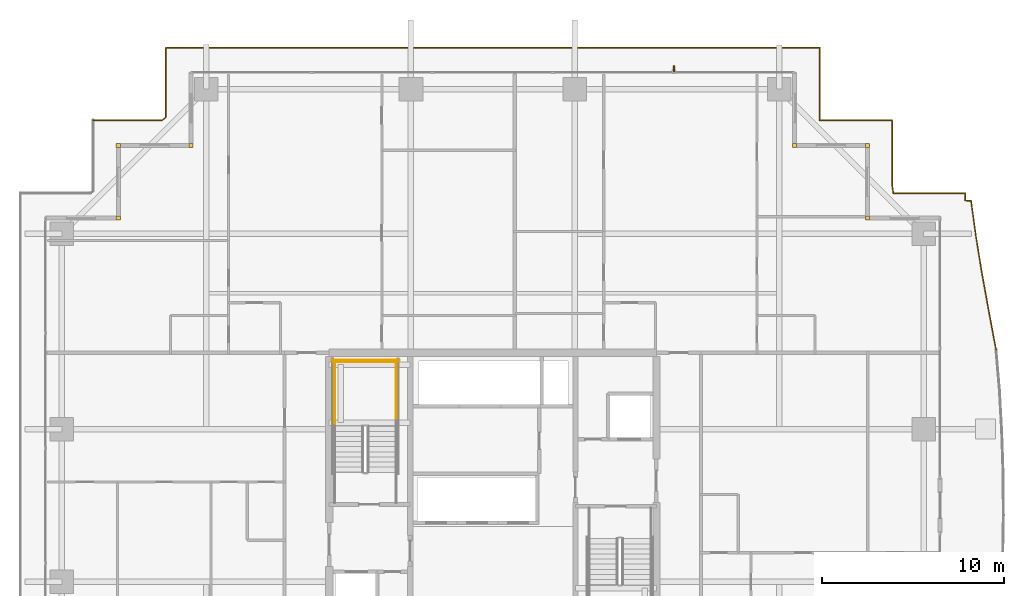
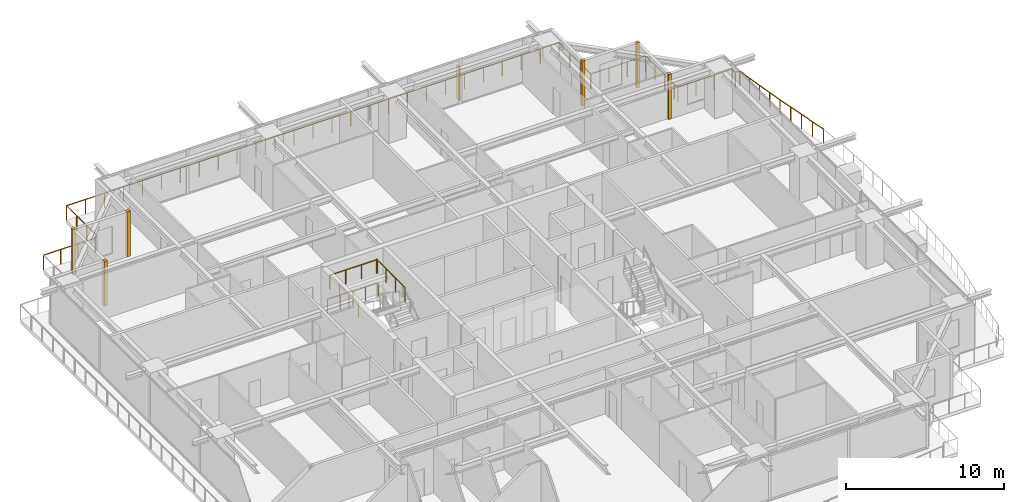
# One storey, part 36 of 36: 6 coverings, 6 railings, 1 shading device.
"""IFC4 building model written with IfcOpenShell, lengths in metres."""

from ifc_helpers import new_model, si_unit, direction, frame, origin, origin_2d, place, context, subcontext, project, spatial, rectangle, circle, extrude, source, transform, mapped, material, layer, layer_set, type_object, element, save


model = new_model("IFC4")

# Units and contexts
model_context = context("Model", 3, precision=1e-05, world=origin(), true_north=direction((0.0, 1.0)))
body_context = subcontext(model_context, "Body", "Model", "MODEL_VIEW")
ifc_project = project(units=[si_unit("LENGTHUNIT", "METRE"), si_unit("AREAUNIT", "SQUARE_METRE"), si_unit("VOLUMEUNIT", "CUBIC_METRE"), si_unit("PLANEANGLEUNIT", "RADIAN"), si_unit("MASSUNIT", "GRAM", prefix="KILO")], contexts=[model_context])

# Site, building, storey
site_placement = place(None, origin())
site = spatial("IfcSite", under=ifc_project, at=site_placement, CompositionType="ELEMENT")
building_placement = place(site_placement, origin())
building = spatial("IfcBuilding", under=site, at=building_placement, Name="Serunith Strait Residences", CompositionType="ELEMENT")
storey_placement = place(building_placement, frame((0.0, 0.0, 146.39990234375)))
storey = spatial("IfcBuildingStorey", under=building, at=storey_placement, Name="L36", CompositionType="ELEMENT", Elevation=146.39990234375)

# Railings
ifc_material_1 = material(Name="Stainless Steel & Laminated Glass Balustrade", Category="steel")
railing_type_1 = type_object("IfcRailingType", Name="RLG-BALC-1150", PredefinedType="BALUSTRADE", material=ifc_material_1)
railing_1_placement = place(storey_placement, frame((10.419921875, 46.3798828125, -0.0498046875)))
element("IfcRailing", 1, at=railing_1_placement, inside=storey, type_object=railing_type_1, Name="L36 Swirling Balcony Perimeter Balustrade 2", PredefinedType="BALUSTRADE", context=body_context, shape_type="SweptSolid", body=[
    extrude(circle(Radius=0.02392578125, at=origin_2d()), frame((0.001953125, 0.0, 1.1259765625), z_axis=(1.0, 0.0, 0.0), x_axis=(0.0, 1.0, 0.0)), (0.0, 0.0, 1.0), 3.7744140625),
    extrude(circle(Radius=0.02392578125, at=origin_2d()), frame((3.77978515625, 0.001220703125, 1.1259765625), z_axis=(0.777683480837, 0.628656029664, 0.0), x_axis=(-0.628656029664, 0.777683480837, 0.0)), (0.0, 0.0, 1.0), 0.281005859375),
    extrude(circle(Radius=0.02392578125, at=origin_2d()), frame((4.0, 0.18115234375, 1.1259765625), z_axis=(0.0, 1.0, 0.0), x_axis=(-1.0, 0.0, 0.0)), (0.0, 0.0, 1.0), 3.81689453125),
    extrude(circle(Radius=0.02392578125, at=origin_2d()), frame((4.001953125, 4.0, 1.1259765625), z_axis=(1.0, 0.0, 0.0), x_axis=(0.0, 1.0, 0.0)), (0.0, 0.0, 1.0), 35.9560546875),
    extrude(circle(Radius=0.02392578125, at=origin_2d()), frame((39.9599609375, 3.998046875, 1.1259765625), z_axis=(0.0, -1.0, 0.0), x_axis=(1.0, 0.0, 0.0)), (0.0, 0.0, 1.0), 3.99609375),
    extrude(circle(Radius=0.02392578125, at=origin_2d()), frame((39.9619140625, 0.0, 1.1259765625), z_axis=(1.0, 0.0, 0.0), x_axis=(0.0, 1.0, 0.0)), (0.0, 0.0, 1.0), 3.99609375),
    extrude(circle(Radius=0.02392578125, at=origin_2d()), frame((43.9599609375, -0.001953125, 1.1259765625), z_axis=(0.0, -1.0, 0.0), x_axis=(1.0, 0.0, 0.0)), (0.0, 0.0, 1.0), 3.62255859375),
    extrude(circle(Radius=0.02392578125, at=origin_2d()), frame((43.960205078125, -3.62841796875, 1.1259765625), z_axis=(0.145493990495, -0.989359135365, 0.0), x_axis=(0.989359135365, 0.145493990495, 0.0)), (0.0, 0.0, 1.0), 0.37353515625),
    extrude(circle(Radius=0.02099609375, at=origin_2d()), origin(), (0.0, 0.0, 1.0), 1.099853515625),
    extrude(circle(Radius=0.02099609375, at=origin_2d()), frame((1.259521484375, 0.0, 0.0)), (0.0, 0.0, 1.0), 1.099853515625),
    extrude(circle(Radius=0.02099609375, at=origin_2d()), frame((2.518798828125, 0.0, 0.0)), (0.0, 0.0, 1.0), 1.099853515625),
    extrude(circle(Radius=0.02099609375, at=origin_2d()), frame((3.7783203125, 0.0, 0.0)), (0.0, 0.0, 1.0), 1.099853515625),
    extrude(circle(Radius=0.02099609375, at=origin_2d()), frame((4.0, 0.17919921875, 0.0)), (0.0, 0.0, 1.0), 1.099853515625),
    extrude(circle(Radius=0.02099609375, at=origin_2d()), frame((4.0, 1.452880859375, 0.0)), (0.0, 0.0, 1.0), 1.099853515625),
    extrude(circle(Radius=0.02099609375, at=origin_2d()), frame((4.0, 2.726318359375, 0.0)), (0.0, 0.0, 1.0), 1.099853515625),
    extrude(circle(Radius=0.02099609375, at=origin_2d()), frame((4.0, 4.0, 0.0)), (0.0, 0.0, 1.0), 1.099853515625),
    extrude(circle(Radius=0.02099609375, at=origin_2d()), frame((5.383056640625, 4.0, 0.0)), (0.0, 0.0, 1.0), 1.099853515625),
    extrude(circle(Radius=0.02099609375, at=origin_2d()), frame((6.76611328125, 4.0, 0.0)), (0.0, 0.0, 1.0), 1.099853515625),
    extrude(circle(Radius=0.02099609375, at=origin_2d()), frame((8.149169921875, 4.0, 0.0)), (0.0, 0.0, 1.0), 1.099853515625),
    extrude(circle(Radius=0.02099609375, at=origin_2d()), frame((9.5322265625, 4.0, 0.0)), (0.0, 0.0, 1.0), 1.099853515625),
    extrude(circle(Radius=0.02099609375, at=origin_2d()), frame((10.915283203125, 4.0, 0.0)), (0.0, 0.0, 1.0), 1.099853515625),
    extrude(circle(Radius=0.02099609375, at=origin_2d()), frame((12.29833984375, 4.0, 0.0)), (0.0, 0.0, 1.0), 1.099853515625),
    extrude(circle(Radius=0.02099609375, at=origin_2d()), frame((13.681640625, 4.0, 0.0)), (0.0, 0.0, 1.0), 1.099853515625),
    extrude(circle(Radius=0.02099609375, at=origin_2d()), frame((15.064697265625, 4.0, 0.0)), (0.0, 0.0, 1.0), 1.099853515625),
    extrude(circle(Radius=0.02099609375, at=origin_2d()), frame((16.44775390625, 4.0, 0.0)), (0.0, 0.0, 1.0), 1.099853515625),
    extrude(circle(Radius=0.02099609375, at=origin_2d()), frame((17.830810546875, 4.0, 0.0)), (0.0, 0.0, 1.0), 1.099853515625),
    extrude(circle(Radius=0.02099609375, at=origin_2d()), frame((19.2138671875, 4.0, 0.0)), (0.0, 0.0, 1.0), 1.099853515625),
    extrude(circle(Radius=0.02099609375, at=origin_2d()), frame((20.596923828125, 4.0, 0.0)), (0.0, 0.0, 1.0), 1.099853515625),
    extrude(circle(Radius=0.02099609375, at=origin_2d()), frame((21.97998046875, 4.0, 0.0)), (0.0, 0.0, 1.0), 1.099853515625),
    extrude(circle(Radius=0.02099609375, at=origin_2d()), frame((23.363037109375, 4.0, 0.0)), (0.0, 0.0, 1.0), 1.099853515625),
    extrude(circle(Radius=0.02099609375, at=origin_2d()), frame((24.74609375, 4.0, 0.0)), (0.0, 0.0, 1.0), 1.099853515625),
    extrude(circle(Radius=0.02099609375, at=origin_2d()), frame((26.129150390625, 4.0, 0.0)), (0.0, 0.0, 1.0), 1.099853515625),
    extrude(circle(Radius=0.02099609375, at=origin_2d()), frame((27.51220703125, 4.0, 0.0)), (0.0, 0.0, 1.0), 1.099853515625),
    extrude(circle(Radius=0.02099609375, at=origin_2d()), frame((28.895263671875, 4.0, 0.0)), (0.0, 0.0, 1.0), 1.099853515625),
    extrude(circle(Radius=0.02099609375, at=origin_2d()), frame((30.2783203125, 4.0, 0.0)), (0.0, 0.0, 1.0), 1.099853515625),
    extrude(circle(Radius=0.02099609375, at=origin_2d()), frame((31.66162109375, 4.0, 0.0)), (0.0, 0.0, 1.0), 1.099853515625),
    extrude(circle(Radius=0.02099609375, at=origin_2d()), frame((33.044677734375, 4.0, 0.0)), (0.0, 0.0, 1.0), 1.099853515625),
    extrude(circle(Radius=0.02099609375, at=origin_2d()), frame((34.427734375, 4.0, 0.0)), (0.0, 0.0, 1.0), 1.099853515625),
    extrude(circle(Radius=0.02099609375, at=origin_2d()), frame((35.810791015625, 4.0, 0.0)), (0.0, 0.0, 1.0), 1.099853515625),
    extrude(circle(Radius=0.02099609375, at=origin_2d()), frame((37.19384765625, 4.0, 0.0)), (0.0, 0.0, 1.0), 1.099853515625),
    extrude(circle(Radius=0.02099609375, at=origin_2d()), frame((38.576904296875, 4.0, 0.0)), (0.0, 0.0, 1.0), 1.099853515625),
    extrude(circle(Radius=0.02099609375, at=origin_2d()), frame((39.9599609375, 4.0, 0.0)), (0.0, 0.0, 1.0), 1.099853515625),
    extrude(circle(Radius=0.02099609375, at=origin_2d()), frame((39.9599609375, 2.666748046875, 0.0)), (0.0, 0.0, 1.0), 1.099853515625),
    extrude(circle(Radius=0.02099609375, at=origin_2d()), frame((39.9599609375, 1.333251953125, 0.0)), (0.0, 0.0, 1.0), 1.099853515625),
    extrude(circle(Radius=0.02099609375, at=origin_2d()), frame((39.9599609375, 0.0, 0.0)), (0.0, 0.0, 1.0), 1.099853515625),
    extrude(circle(Radius=0.02099609375, at=origin_2d()), frame((41.293212890625, 0.0, 0.0)), (0.0, 0.0, 1.0), 1.099853515625),
    extrude(circle(Radius=0.02099609375, at=origin_2d()), frame((42.626708984375, 0.0, 0.0)), (0.0, 0.0, 1.0), 1.099853515625),
    extrude(circle(Radius=0.02099609375, at=origin_2d()), frame((43.9599609375, 0.0, 0.0)), (0.0, 0.0, 1.0), 1.099853515625),
    extrude(circle(Radius=0.02099609375, at=origin_2d()), frame((43.9599609375, -1.208740234375, 0.0)), (0.0, 0.0, 1.0), 1.099853515625),
    extrude(circle(Radius=0.02099609375, at=origin_2d()), frame((43.9599609375, -2.417724609375, 0.0)), (0.0, 0.0, 1.0), 1.099853515625),
    extrude(circle(Radius=0.02099609375, at=origin_2d()), frame((43.9599609375, -3.62646484375, 0.0)), (0.0, 0.0, 1.0), 1.099853515625),
    extrude(circle(Radius=0.02099609375, at=origin_2d()), frame((44.014892578125, -4.0, 0.0)), (0.0, 0.0, 1.0), 1.099853515625),
])
railing_2_placement = place(storey_placement, frame((54.434814453125, 42.3798828125, -0.0498046875)))
element("IfcRailing", 2, at=railing_2_placement, inside=storey, type_object=railing_type_1, Name="L36 Swirling Balcony Perimeter Balustrade 3", PredefinedType="BALUSTRADE", context=body_context, shape_type="SweptSolid", body=[
    extrude(circle(Radius=0.02392578125, at=origin_2d()), frame((0.001953125, 0.0, 1.1259765625), z_axis=(1.0, 0.0, 0.0), x_axis=(0.0, 1.0, 0.0)), (0.0, 0.0, 1.0), 3.941162109375),
    extrude(circle(Radius=0.02392578125, at=origin_2d()), frame((3.945068359375, -0.001953125, 1.1259765625), z_axis=(0.0, -1.0, 0.0), x_axis=(1.0, 0.0, 0.0)), (0.0, 0.0, 1.0), 0.40283203125),
    extrude(circle(Radius=0.02392578125, at=origin_2d()), frame((3.947021484375, -0.40673828125, 1.1259765625), z_axis=(0.998317673949, -0.05798122008, 0.0), x_axis=(0.05798122008, 0.998317673949, 0.0)), (0.0, 0.0, 1.0), 0.324462890625),
    extrude(circle(Radius=0.02392578125, at=origin_2d()), frame((4.273193359375, -0.427734375, 1.1259765625), z_axis=(0.136923400533, -0.990581638426, 0.0), x_axis=(0.990581638426, 0.136923400533, 0.0)), (0.0, 0.0, 1.0), 2.01806640625),
    extrude(circle(Radius=0.02392578125, at=origin_2d()), frame((4.550048828125, -2.4306640625, 1.1259765625), z_axis=(0.161018261076, -0.986951427174, 0.0), x_axis=(0.986951427174, 0.161018261076, 0.0)), (0.0, 0.0, 1.0), 2.0458984375),
    extrude(circle(Radius=0.02392578125, at=origin_2d()), frame((4.880126953125, -4.453857421875, 1.1259765625), z_axis=(0.178864916502, -0.983873641097, 0.0), x_axis=(0.983873641097, 0.178864916502, 0.0)), (0.0, 0.0, 1.0), 2.08984375),
    extrude(circle(Radius=0.02392578125, at=origin_2d()), frame((5.2548828125, -6.513916015625, 1.1259765625), z_axis=(0.183596528677, -0.983001685989, 0.0), x_axis=(0.983001685989, 0.183596528677, 0.0)), (0.0, 0.0, 1.0), 2.1474609375),
    extrude(circle(Radius=0.02099609375, at=origin_2d()), origin(), (0.0, 0.0, 1.0), 1.099853515625),
    extrude(circle(Radius=0.02099609375, at=origin_2d()), frame((1.31494140625, 0.0, 0.0)), (0.0, 0.0, 1.0), 1.099853515625),
    extrude(circle(Radius=0.02099609375, at=origin_2d()), frame((2.630126953125, 0.0, 0.0)), (0.0, 0.0, 1.0), 1.099853515625),
    extrude(circle(Radius=0.02099609375, at=origin_2d()), frame((3.945068359375, 0.0, 0.0)), (0.0, 0.0, 1.0), 1.099853515625),
    extrude(circle(Radius=0.02099609375, at=origin_2d()), frame((3.945068359375, -0.40673828125, 0.0)), (0.0, 0.0, 1.0), 1.099853515625),
    extrude(circle(Radius=0.02099609375, at=origin_2d()), frame((4.27294921875, -0.42578125, 0.0)), (0.0, 0.0, 1.0), 1.099853515625),
    extrude(circle(Radius=0.02099609375, at=origin_2d()), frame((4.411376953125, -1.42724609375, 0.0)), (0.0, 0.0, 1.0), 1.099853515625),
    extrude(circle(Radius=0.02099609375, at=origin_2d()), frame((4.5498046875, -2.4287109375, 0.0)), (0.0, 0.0, 1.0), 1.099853515625),
    extrude(circle(Radius=0.02099609375, at=origin_2d()), frame((4.71484375, -3.4404296875, 0.0)), (0.0, 0.0, 1.0), 1.099853515625),
    extrude(circle(Radius=0.02099609375, at=origin_2d()), frame((4.8798828125, -4.451904296875, 0.0)), (0.0, 0.0, 1.0), 1.099853515625),
    extrude(circle(Radius=0.02099609375, at=origin_2d()), frame((5.067138671875, -5.48193359375, 0.0)), (0.0, 0.0, 1.0), 1.099853515625),
    extrude(circle(Radius=0.02099609375, at=origin_2d()), frame((5.25439453125, -6.511962890625, 0.0)), (0.0, 0.0, 1.0), 1.099853515625),
    extrude(circle(Radius=0.02099609375, at=origin_2d()), frame((5.451904296875, -7.5693359375, 0.0)), (0.0, 0.0, 1.0), 1.099853515625),
    extrude(circle(Radius=0.02099609375, at=origin_2d()), frame((5.6494140625, -8.626953125, 0.0)), (0.0, 0.0, 1.0), 1.099853515625),
])
ifc_material_2 = material(Name="Brushed stainless steel 316L", Category="steel")
railing_type_2 = type_object("IfcRailingType", Name="RLG-STAIR-GUARD", PredefinedType="BALUSTRADE", material=ifc_material_2)
for number, where, name in (
    (3, (27.10009765625, 29.550048828125, 1.875), "L36 ST-1 stair guard 3"),
    (4, (23.699951171875, 29.550048828125, 1.875), "L36 ST-1 stair guard 4"),
):
    element("IfcRailing", number, at=place(storey_placement, frame(where)), inside=storey, type_object=railing_type_2, Name=name, PredefinedType="BALUSTRADE", context=body_context, shape_type="SweptSolid", body=[
        extrude(circle(Radius=0.02392578125, at=origin_2d()), frame((0.0, 0.001953125, 1.076171875), z_axis=(0.0, 1.0, 0.0), x_axis=(-1.0, 0.0, 0.0)), (0.0, 0.0, 1.0), 3.595947265625),
        extrude(circle(Radius=0.02099609375, at=origin_2d()), origin(), (0.0, 0.0, 1.0), 1.050048828125),
        extrude(circle(Radius=0.02099609375, at=origin_2d()), frame((0.0, 1.199951171875, 0.0)), (0.0, 0.0, 1.0), 1.050048828125),
        extrude(circle(Radius=0.02099609375, at=origin_2d()), frame((0.0, 2.39990234375, 0.0)), (0.0, 0.0, 1.0), 1.050048828125),
        extrude(circle(Radius=0.02099609375, at=origin_2d()), frame((0.0, 3.599853515625, 0.0)), (0.0, 0.0, 1.0), 1.050048828125),
    ])
railing_3_placement = place(storey_placement, frame((27.14990234375, 33.10009765625, 1.875)))
element("IfcRailing", 5, at=railing_3_placement, inside=storey, type_object=railing_type_2, Name="L36 ST-1 stair guard 5", PredefinedType="BALUSTRADE", context=body_context, shape_type="SweptSolid", body=[
    extrude(circle(Radius=0.02392578125, at=origin_2d()), frame((-0.001953125, 0.0, 1.076171875), z_axis=(-1.0, 0.0, 0.0), x_axis=(0.0, -1.0, 0.0)), (0.0, 0.0, 1.0), 3.49609375),
    extrude(circle(Radius=0.02099609375, at=origin_2d()), origin(), (0.0, 0.0, 1.0), 1.050048828125),
    extrude(circle(Radius=0.02099609375, at=origin_2d()), frame((-1.166748046875, 0.0, 0.0)), (0.0, 0.0, 1.0), 1.050048828125),
    extrude(circle(Radius=0.02099609375, at=origin_2d()), frame((-2.333251953125, 0.0, 0.0)), (0.0, 0.0, 1.0), 1.050048828125),
    extrude(circle(Radius=0.02099609375, at=origin_2d()), frame((-3.5, 0.0, 0.0)), (0.0, 0.0, 1.0), 1.050048828125),
])
railing_4_placement = place(storey_placement, frame((27.25, 33.199951171875, 0.0)))
element("IfcRailing", 6, at=railing_4_placement, inside=storey, type_object=railing_type_2, Name="L36 ST-1 stair guard 12", PredefinedType="BALUSTRADE", context=body_context, shape_type="SweptSolid", body=[
    extrude(circle(Radius=0.02392578125, at=origin_2d()), frame((-0.001953125, 0.0, 1.076171875), z_axis=(-1.0, 0.0, 0.0), x_axis=(0.0, -1.0, 0.0)), (0.0, 0.0, 1.0), 3.696044921875),
    extrude(circle(Radius=0.02099609375, at=origin_2d()), origin(), (0.0, 0.0, 1.0), 1.050048828125),
    extrude(circle(Radius=0.02099609375, at=origin_2d()), frame((-0.925048828125, 0.0, 0.0)), (0.0, 0.0, 1.0), 1.050048828125),
    extrude(circle(Radius=0.02099609375, at=origin_2d()), frame((-1.85009765625, 0.0, 0.0)), (0.0, 0.0, 1.0), 1.050048828125),
    extrude(circle(Radius=0.02099609375, at=origin_2d()), frame((-2.77490234375, 0.0, 0.0)), (0.0, 0.0, 1.0), 1.050048828125),
    extrude(circle(Radius=0.02099609375, at=origin_2d()), frame((-3.699951171875, 0.0, 0.0)), (0.0, 0.0, 1.0), 1.050048828125),
])

# Coverings
ifc_material_3 = material(Name="Pale-Champagne Anodised Aluminium", Category="aluminium")
ifc_layer = layer(ifc_material_3, 0.219970703125, Name="Pale-Champagne Anodised Aluminium")
ifc_layer_set = layer_set([ifc_layer], Name="Pale-Champagne Anodised Aluminium")
covering_type = type_object("IfcCoveringType", Name="COV-CORN-TRIM", PredefinedType="CLADDING", material=ifc_layer_set)
shared_shape_1 = source(origin(), body_context, "Body", "SweptSolid", [
    extrude(rectangle(XDim=0.221923828125, YDim=0.221923828125, at=origin_2d()), origin(), (0.0, 0.0, 1.0), 3.47509765625),
])
for number, where, z_axis, x_axis, name in (
    (7, (53.0, 41.0, 0.0), (0.0, 0.0, 1.0), (1.0, 0.0, 0.0), "L36 Girih Serrated Corner Trim Post 07"),
    (8, (53.0, 45.0, 0.0), (0.0, 0.0, 1.0), (1.0, 0.0, 0.0), "L36 Girih Serrated Corner Trim Post 08"),
    (9, (49.0, 45.0, 0.0), (0.0, 0.0, 1.0), (1.0, 0.0, 0.0), "L36 Girih Serrated Corner Trim Post 09"),
    (10, (15.800048828125, 45.0, 0.0), (0.0, 0.0, 1.0), (1.0, 0.0, 0.0), "L36 Girih Serrated Corner Trim Post 12"),
    (11, (11.800048828125, 45.0, 0.0), (0.0, 0.0, 1.0), (1.0, 0.0, 0.0), "L36 Girih Serrated Corner Trim Post 13"),
    (12, (11.800048828125, 41.0, 0.0), (0.0, 0.0, 1.0), (1.0, 0.0, 0.0), "L36 Girih Serrated Corner Trim Post 14"),
):
    element("IfcCovering", number, at=place(storey_placement, frame(where, z_axis=z_axis, x_axis=x_axis)), inside=storey, type_object=covering_type, Name=name, PredefinedType="CLADDING", context=body_context, shape_type="MappedRepresentation", body=[
        mapped(shared_shape_1, transform((0.0, 0.0, 0.0), scale=1.0)),
    ])

# Shading device
ifc_material_4 = material(Name="Pale-Champagne Perforated Aluminium Fin", Category="aluminium")
shading_device_type = type_object("IfcShadingDeviceType", Name="SHD-DIAG-FIN", PredefinedType="AWNING", material=ifc_material_4)
shared_shape_2 = source(origin(), body_context, "Body", "SweptSolid", [
    extrude(rectangle(XDim=0.080078125, YDim=0.35009765625, at=origin_2d()), origin(), (0.0, 0.0, 1.0), 2.60009765625),
])
shading_device_placement = place(storey_placement, frame((42.360107421875, 49.219970703125, 0.199951171875), z_axis=(0.0, 0.0, 1.0), x_axis=(1.0, 0.0, 0.0)))
element("IfcShadingDevice", 13, at=shading_device_placement, inside=storey, type_object=shading_device_type, Name="L36 Diagonal Rhythm Solar Fin N", PredefinedType="AWNING", context=body_context, shape_type="MappedRepresentation", body=[
    mapped(shared_shape_2, transform((0.0, 0.0, 0.0), scale=1.0)),
])

save(model, "model.ifc")
